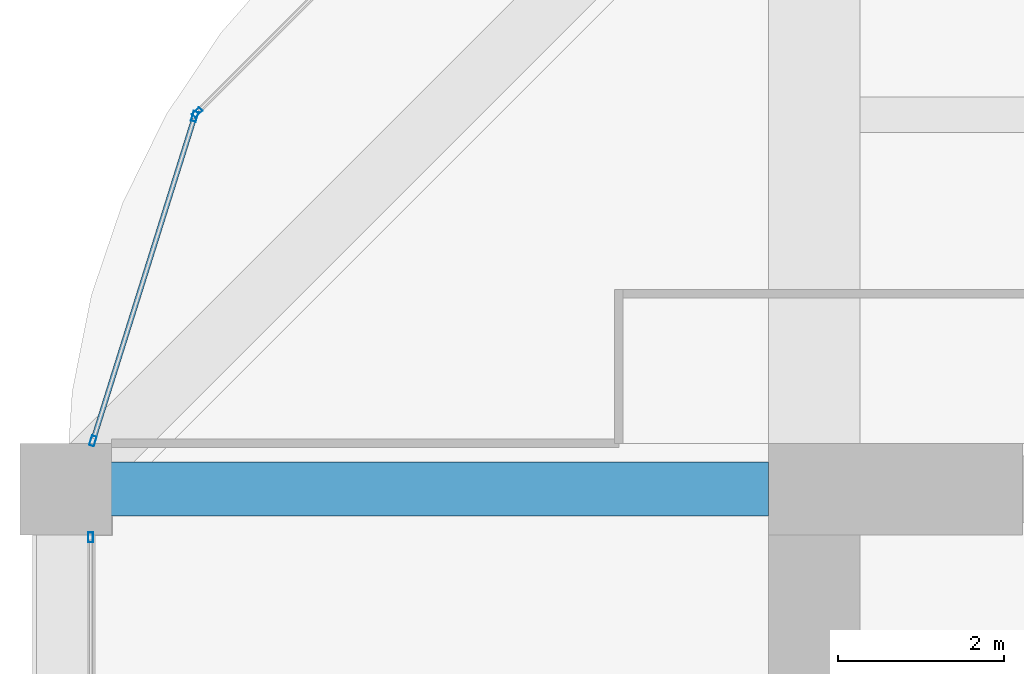
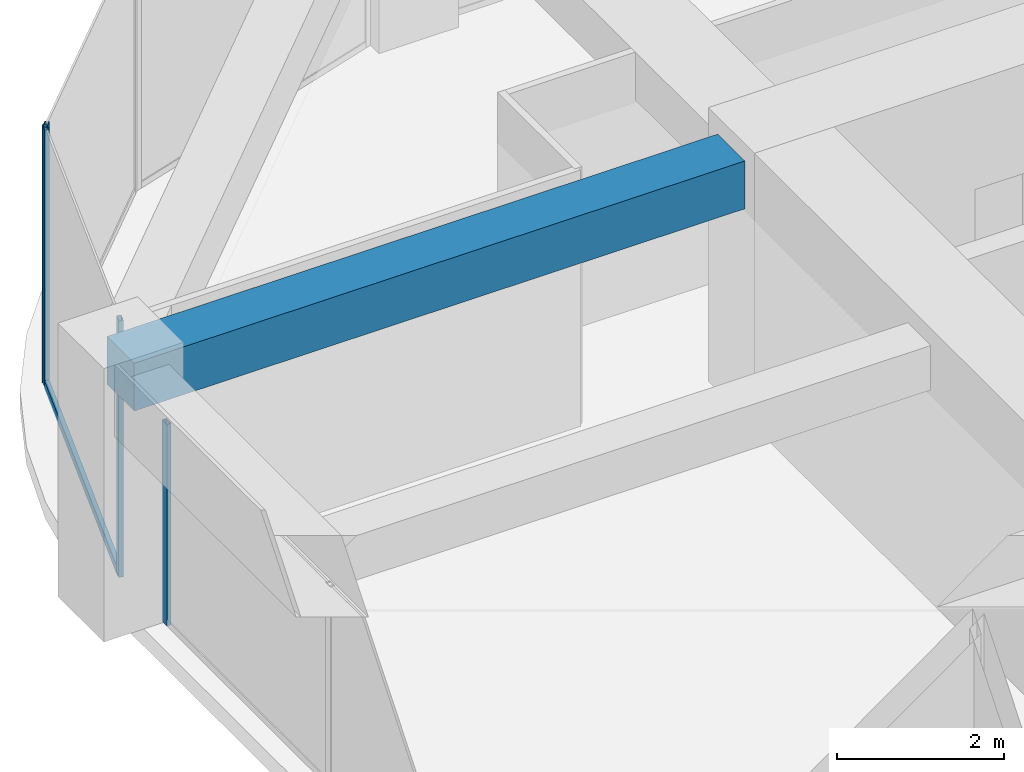
# One storey, part 28 of 44: 5 members, 1 beam, 3 elements without a shape of their own.
"""IFC4 building model written with IfcOpenShell, lengths in metres."""

from ifc_helpers import new_model, si_unit, direction, frame, origin, origin_2d, place, context, subcontext, project, spatial, rectangle, hollow_rectangle, extrude, material, material_profile, profile_set, type_object, element, aggregate, save


model = new_model("IFC4")

# Units and contexts
model_context = context("Model", 3, precision=1e-05, world=origin(), true_north=direction((0.0, 1.0)))
body_context = subcontext(model_context, "Body", "Model", "MODEL_VIEW")
ifc_project = project(units=[si_unit("LENGTHUNIT", "METRE"), si_unit("AREAUNIT", "SQUARE_METRE"), si_unit("VOLUMEUNIT", "CUBIC_METRE"), si_unit("PLANEANGLEUNIT", "RADIAN"), si_unit("MASSUNIT", "GRAM", prefix="KILO")], contexts=[model_context])

# Site, building, storey
site_placement = place(None, origin())
site = spatial("IfcSite", under=ifc_project, at=site_placement, CompositionType="ELEMENT")
building_placement = place(site_placement, origin())
building = spatial("IfcBuilding", under=site, at=building_placement, Name="Zorevar Civic Tower", CompositionType="ELEMENT")
storey_placement = place(building_placement, frame((0.0, 0.0, 267.39990234375)))
storey = spatial("IfcBuildingStorey", under=building, at=storey_placement, Name="L65", CompositionType="ELEMENT", Elevation=267.39990234375)

# Beam
ifc_material_1 = material(Name="Concrete C50/60", Category="concrete")
ifc_material_profile_1 = material_profile(ifc_material_1, rectangle(XDim=0.64990234375, YDim=0.699951171875, at=origin_2d()), Name="RC 650x700")
ifc_profile_set_1 = profile_set([ifc_material_profile_1], Name="Concrete C50/60")
beam_type = type_object("IfcBeamType", Name="Beam RC 650x700", PredefinedType="BEAM", material=ifc_profile_set_1)
beam_placement = place(storey_placement, frame((9.0, 36.0, 3.400146484375), z_axis=(1.0, 0.0, 0.0), x_axis=(0.0, 1.0, 0.0)))
element("IfcBeam", 1, at=beam_placement, inside=storey, type_object=beam_type, Name="Girder L66", PredefinedType="BEAM", context=body_context, shape_type="SweptSolid", body=[
    extrude(rectangle(XDim=0.64990234375, YDim=0.699951171875, at=origin_2d()), origin(), (0.0, 0.0, 1.0), 8.449951171875),
])

# Curtain wall, member
ifc_material_2 = material(Name="Dark grey solar-control glass in black aluminium frame", Category="aluminium")
curtain_wall_type = type_object("IfcCurtainWallType", Name="Curtain wall CW5 top zone", PredefinedType="NOTDEFINED", material=ifc_material_2)
curtain_wall_1_placement = place(storey_placement, origin())
curtain_wall_1 = element("IfcCurtainWall", 2, at=curtain_wall_1_placement, inside=storey, type_object=curtain_wall_type, Name="CW5 L65", PredefinedType="NOTDEFINED")
ifc_material_3 = material(Name="Aluminium, black anodised", Category="aluminium")
ifc_material_profile_2 = material_profile(ifc_material_3, hollow_rectangle(XDim=0.06005859375, YDim=0.1201171875, WallThickness=0.0029296875, at=origin_2d()), Name="AL 120x60x3")
ifc_profile_set_2 = profile_set([ifc_material_profile_2], Name="Aluminium, black anodised")
member_type_1 = type_object("IfcMemberType", Name="CW5 mullion AL 120x60x3", PredefinedType="MULLION", material=ifc_profile_set_2)
member_1_placement = place(storey_placement, frame((9.300048828125, 35.419921875, 0.0), z_axis=(0.0, 0.0, 1.0), x_axis=(-1.0, 0.0, 0.0)))
member_1 = element("IfcMember", 3, at=member_1_placement, type_object=member_type_1, Name="CW5 mullion 3", PredefinedType="MULLION", context=body_context, shape_type="SweptSolid", body=[
    extrude(hollow_rectangle(XDim=0.06005859375, YDim=0.1201171875, WallThickness=0.0029296875, at=origin_2d()), origin(), (0.0, 0.0, 1.0), 2.9501953125),
])
aggregate(curtain_wall_1, [member_1])

curtain_wall_2_placement = place(storey_placement, origin())
curtain_wall_2 = element("IfcCurtainWall", 4, at=curtain_wall_2_placement, inside=storey, type_object=curtain_wall_type, Name="CW5 L65", PredefinedType="NOTDEFINED")
member_2_placement = place(storey_placement, frame((10.580322265625, 40.529052734375, 0.0), z_axis=(0.0, 0.0, 1.0), x_axis=(0.707106781187, -0.707106781187, 0.0)))
member_2 = element("IfcMember", 5, at=member_2_placement, type_object=member_type_1, Name="CW5 mullion 2", PredefinedType="MULLION", context=body_context, shape_type="SweptSolid", body=[
    extrude(hollow_rectangle(XDim=0.06005859375, YDim=0.1201171875, WallThickness=0.0029296875, at=origin_2d()), origin(), (0.0, 0.0, 1.0), 3.75),
])
aggregate(curtain_wall_2, [member_2])

# Curtain wall, members
curtain_wall_3_placement = place(storey_placement, origin())
curtain_wall_3 = element("IfcCurtainWall", 6, at=curtain_wall_3_placement, inside=storey, type_object=curtain_wall_type, Name="CW5 L65", PredefinedType="NOTDEFINED")
member_3_placement = place(storey_placement, frame((10.550048828125, 40.479248046875, 0.0), z_axis=(0.0, 0.0, 1.0), x_axis=(0.954153437674, -0.299317920238, 0.0)))
member_3 = element("IfcMember", 7, at=member_3_placement, type_object=member_type_1, Name="CW5 mullion 1", PredefinedType="MULLION", context=body_context, shape_type="SweptSolid", body=[
    extrude(hollow_rectangle(XDim=0.06005859375, YDim=0.1201171875, WallThickness=0.0029296875, at=origin_2d()), origin(), (0.0, 0.0, 1.0), 3.75),
])
member_4_placement = place(storey_placement, frame((9.326416015625, 36.57861328125, 0.0), z_axis=(0.0, 0.0, 1.0), x_axis=(0.954153437674, -0.299317920238, 0.0)))
member_4 = element("IfcMember", 8, at=member_4_placement, type_object=member_type_1, Name="CW5 mullion 2", PredefinedType="MULLION", context=body_context, shape_type="SweptSolid", body=[
    extrude(hollow_rectangle(XDim=0.06005859375, YDim=0.1201171875, WallThickness=0.0029296875, at=origin_2d()), origin(), (0.0, 0.0, 1.0), 3.75),
])
ifc_material_4 = material(Name="Aluminium, black anodised", Category="aluminium")
ifc_material_profile_3 = material_profile(ifc_material_4, hollow_rectangle(XDim=0.06005859375, YDim=0.1201171875, WallThickness=0.0029296875, at=origin_2d()), Name="AL 120x60x3")
ifc_profile_set_3 = profile_set([ifc_material_profile_3], Name="Aluminium, black anodised")
member_type_2 = type_object("IfcMemberType", Name="CW5 transom AL 120x60x3", PredefinedType="USERDEFINED", material=ifc_profile_set_3)
member_5_placement = place(storey_placement, frame((10.541015625, 40.45068359375, 0.030029296875), z_axis=(-0.299285978047, -0.954163457351, 0.0), x_axis=(0.954163457351, -0.299285978047, 0.0)))
member_5 = element("IfcMember", 9, at=member_5_placement, type_object=member_type_2, Name="CW5 sill transom", ObjectType="TRANSOM", PredefinedType="USERDEFINED", context=body_context, shape_type="SweptSolid", body=[
    extrude(hollow_rectangle(XDim=0.06005859375, YDim=0.1201171875, WallThickness=0.0029296875, at=origin_2d()), origin(), (0.0, 0.0, 1.0), 4.028076171875),
])
aggregate(curtain_wall_3, [member_3, member_4, member_5])

save(model, "model.ifc")
